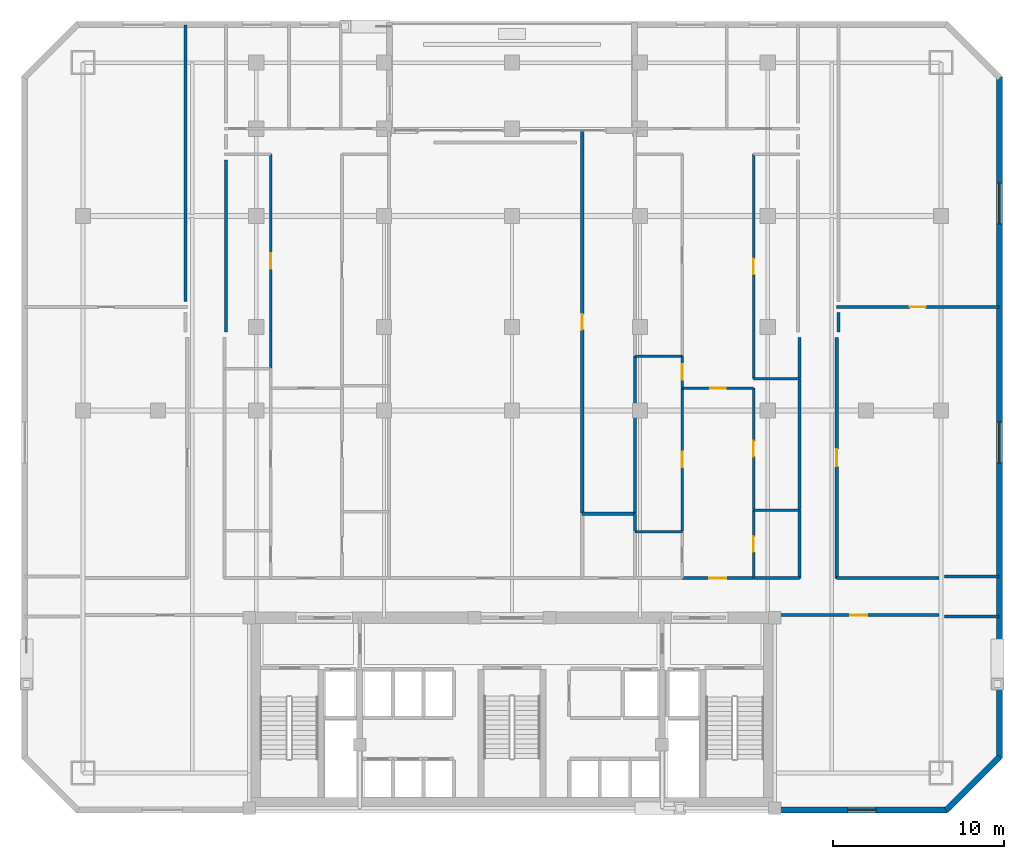
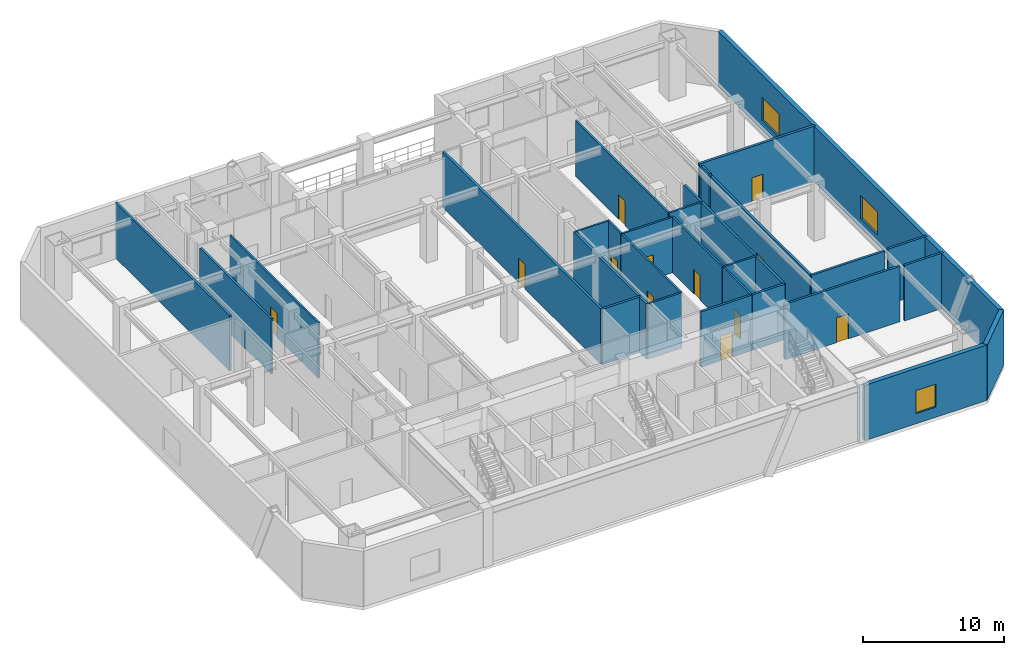
# One storey, part 9 of 12: 32 walls, 12 doors, 3 windows, 15 openings.
"""IFC4 building model written with IfcOpenShell, lengths in metres."""

import ifcopenshell
import ifcopenshell.guid

model = None  # the IFC model being written
_history = None  # IfcOwnerHistory: only IFC2X3 demands one
_inside = {}  # id of a spatial element -> (the spatial element, [elements in it])
_under = {}  # id of a project, library or spatial element -> (it, [spatial elements below it])
_declared = {}  # id of a project -> (the project, [libraries it declares])
_typed = {}  # id of a type object -> (the type object, [elements of that type])
_made_of = {}  # id of a material, layer set ... -> (it, [elements and type objects made of it])


def new_model(schema):
    """Start an empty IFC model of exactly this schema.

    Asked for "IFC4X3", IfcOpenShell would pick the latest addendum, in which some entities
    have other attributes; the version numbers below select the first issue.
    IFC2X3 requires an IfcOwnerHistory on every rooted entity: one is made here for all.
    """
    global model, _history
    if schema == "IFC4X3":
        model = ifcopenshell.file(schema_version=(4, 3, 0, 0))
    else:
        model = ifcopenshell.file(schema=schema)
    _inside.clear()
    _under.clear()
    _declared.clear()
    _typed.clear()
    _made_of.clear()
    _history = None
    if model.schema == "IFC2X3":
        org = make("IfcOrganization", Name="unknown")
        user = make(
            "IfcPersonAndOrganization",
            ThePerson=make("IfcPerson", FamilyName="unknown"),
            TheOrganization=org,
        )
        app = make(
            "IfcApplication",
            ApplicationDeveloper=org,
            Version="unknown",
            ApplicationFullName="unknown",
            ApplicationIdentifier="unknown",
        )
        _history = make(
            "IfcOwnerHistory",
            OwningUser=user,
            OwningApplication=app,
            ChangeAction="ADDED",
            CreationDate=0,
        )
    return model


def make(cls, **values):
    """One entity of the class cls with the attributes given. An attribute that is None is left unset."""
    return model.create_entity(
        cls, **{name: value for name, value in values.items() if value is not None}
    )


def rooted(cls, **values):
    """An entity with a GlobalId (a new one), such as an element, a storey or a relation."""
    return make(cls, GlobalId=ifcopenshell.guid.new(), OwnerHistory=_history, **values)


def si_unit(unit_type, name, prefix=None):
    """IfcSIUnit, for example si_unit("LENGTHUNIT", "METRE", prefix="MILLI")."""
    return make("IfcSIUnit", UnitType=unit_type, Prefix=prefix, Name=name)


def assignment(units):
    """IfcUnitAssignment: the units of a project."""
    return None if units is None else make("IfcUnitAssignment", Units=units)


def point(xyz):
    """IfcCartesianPoint."""
    return None if xyz is None else make("IfcCartesianPoint", Coordinates=xyz)


def direction(xyz):
    """IfcDirection."""
    return None if xyz is None else make("IfcDirection", DirectionRatios=xyz)


def frame(location, z_axis=None, x_axis=None):
    """IfcAxis2Placement3D, a coordinate frame: its origin and axes. An axis left out is left unset."""
    return make(
        "IfcAxis2Placement3D",
        Location=point(location),
        Axis=direction(z_axis),
        RefDirection=direction(x_axis),
    )


def frame_2d(location, x_axis=None):
    """IfcAxis2Placement2D, a coordinate frame in the plane: its origin and x axis."""
    return make(
        "IfcAxis2Placement2D", Location=point(location), RefDirection=direction(x_axis)
    )


def origin():
    """The frame at (0, 0, 0) with its axes left unset."""
    return frame((0.0, 0.0, 0.0))


def place(relative_to, where):
    """IfcLocalPlacement: puts the frame where relative to a parent placement (None: the world)."""
    return make(
        "IfcLocalPlacement", PlacementRelTo=relative_to, RelativePlacement=where
    )


def context(
    kind, dimensions, precision=None, world=None, true_north=None, identifier=None
):
    """IfcGeometricRepresentationContext, for example the 3D "Model" context."""
    return make(
        "IfcGeometricRepresentationContext",
        ContextIdentifier=identifier,
        ContextType=kind,
        CoordinateSpaceDimension=dimensions,
        Precision=precision,
        WorldCoordinateSystem=world,
        TrueNorth=true_north,
    )


def subcontext(parent, identifier, kind, view, scale=None):
    """IfcGeometricRepresentationSubContext, for example "Body" below "Model"."""
    return make(
        "IfcGeometricRepresentationSubContext",
        ContextIdentifier=identifier,
        ContextType=kind,
        ParentContext=parent,
        TargetScale=scale,
        TargetView=view,
    )


def project(units=None, contexts=None):
    """IfcProject with its units and contexts."""
    return rooted(
        "IfcProject",
        Name="project",
        RepresentationContexts=contexts,
        UnitsInContext=assignment(units),
    )


def spatial(cls, under=None, at=None, **own):
    """A site, building, storey or space (cls), placed at a placement, below another one or the project."""
    s = rooted(cls, ObjectPlacement=at, **own)
    if under is not None:
        _under.setdefault(under.id(), (under, []))[1].append(s)
    return s


def profile(cls, at=None, kind="AREA", **sizes):
    """A parametric profile (cls). Its sizes go by their IFC names, for example OverallWidth=200.0."""
    return make(cls, ProfileType=kind, Position=at, **sizes)


def rectangle(**sizes):
    """IfcRectangleProfileDef."""
    return profile("IfcRectangleProfileDef", **sizes)


def extrude(swept, where, along, depth):
    """IfcExtrudedAreaSolid: the profile swept, set in the frame where, extruded along a direction by depth."""
    return make(
        "IfcExtrudedAreaSolid",
        SweptArea=swept,
        Position=where,
        ExtrudedDirection=direction(along),
        Depth=depth,
    )


def shape(context_of_items, identifier, shape_type, items):
    """IfcShapeRepresentation: the items that make up one representation, for example the "Body"."""
    return make(
        "IfcShapeRepresentation",
        ContextOfItems=context_of_items,
        RepresentationIdentifier=identifier,
        RepresentationType=shape_type,
        Items=items,
    )


def material(Name=None, Category=None):
    """IfcMaterial."""
    return make("IfcMaterial", Name=Name, Category=Category)


def layer(
    of_material, thickness, ventilated=None, Name=None, Category=None, Priority=None
):
    """IfcMaterialLayer: one layer of a wall or slab, of a material (None: an air gap)."""
    return make(
        "IfcMaterialLayer",
        Material=of_material,
        LayerThickness=thickness,
        IsVentilated=ventilated,
        Name=Name,
        Category=Category,
        Priority=Priority,
    )


def layer_set(layers, Name=None):
    """IfcMaterialLayerSet."""
    return make("IfcMaterialLayerSet", MaterialLayers=layers, LayerSetName=Name)


def made_of(thing, what):
    """Note that an element or type object is made of a material, layer set ...; save() writes the relation."""
    if what is not None:
        _made_of.setdefault(what.id(), (what, []))[1].append(thing)
    return thing


def type_object(cls, material=None, **own):
    """A type object (cls), such as IfcWallType, which elements share."""
    return made_of(rooted(cls, **own), material)


def element(
    cls,
    number,
    at=None,
    inside=None,
    cuts=None,
    type_object=None,
    material=None,
    context=None,
    identifier="Body",
    shape_type=None,
    held_by="IfcProductDefinitionShape",
    body=None,
    shapes=None,
    **own,
):
    """One element of the class cls, such as IfcWall. Its Tag is "e" and its number.

    at: its placement. inside: the storey or other place that contains it. cuts: it is an
    opening in that element (IfcRelVoidsElement). A single representation is given by context,
    identifier, shape_type and body (its items); several are given by shapes. held_by: the class
    of the entity that holds the representations. save() writes the other relations.
    """
    e = rooted(cls, Tag="e%d" % number, ObjectPlacement=at, **own)
    if body is not None:
        shapes = [shape(context, identifier, shape_type, body)]
    if shapes is not None:
        e.Representation = make(held_by, Representations=shapes)
    if inside is not None:
        _inside.setdefault(inside.id(), (inside, []))[1].append(e)
    if cuts is not None:
        rooted(
            "IfcRelVoidsElement", RelatingBuildingElement=cuts, RelatedOpeningElement=e
        )
    if type_object is not None:
        _typed.setdefault(type_object.id(), (type_object, []))[1].append(e)
    return made_of(e, material)


def fill(opening, filler):
    """IfcRelFillsElement: the door or window that sits in an opening."""
    return rooted(
        "IfcRelFillsElement",
        RelatingOpeningElement=opening,
        RelatedBuildingElement=filler,
    )


def aggregate(whole, parts):
    """IfcRelAggregates: a whole, such as a stair, and the parts it consists of."""
    return rooted("IfcRelAggregates", RelatingObject=whole, RelatedObjects=parts)


def save(model, path):
    """Write the relations noted so far, then the file.

    IfcRelAggregates (storeys below a building ...), IfcRelContainedInSpatialStructure (elements
    in a storey), IfcRelDefinesByType, IfcRelAssociatesMaterial and IfcRelDeclares: one each for
    every whole, place, type object, material and project.
    """
    for whole, parts in _under.values():
        aggregate(whole, parts)
    for where, things in _inside.values():
        rooted(
            "IfcRelContainedInSpatialStructure",
            RelatedElements=things,
            RelatingStructure=where,
        )
    for kind, things in _typed.values():
        rooted("IfcRelDefinesByType", RelatedObjects=things, RelatingType=kind)
    for what, things in _made_of.values():
        rooted("IfcRelAssociatesMaterial", RelatedObjects=things, RelatingMaterial=what)
    for by, libraries in _declared.values():
        rooted("IfcRelDeclares", RelatingContext=by, RelatedDefinitions=libraries)
    model.write(path)


model = new_model("IFC4")

# Units and contexts
model_context = context("Model", 3, precision=1e-05, world=origin(), true_north=direction((0.0, 1.0)))
body_context = subcontext(model_context, "Body", "Model", "MODEL_VIEW")
ifc_project = project(units=[si_unit("LENGTHUNIT", "METRE"), si_unit("AREAUNIT", "SQUARE_METRE"), si_unit("VOLUMEUNIT", "CUBIC_METRE"), si_unit("PLANEANGLEUNIT", "RADIAN"), si_unit("MASSUNIT", "GRAM", prefix="KILO")], contexts=[model_context])

# Site, building, storey
site_placement = place(None, origin())
site = spatial("IfcSite", under=ifc_project, at=site_placement, CompositionType="ELEMENT")
building_placement = place(site_placement, origin())
building = spatial("IfcBuilding", under=site, at=building_placement, Name="Ventersveld Concourse Tower", CompositionType="ELEMENT")
storey_placement = place(building_placement, frame((0.0, 0.0, 76.0)))
storey = spatial("IfcBuildingStorey", under=building, at=storey_placement, Name="L18", CompositionType="ELEMENT", Elevation=76.0)

# Wall, opening, door
ifc_material_1 = material(Name="Fire-rated autoclaved aerated masonry blockwork", Category="masonry")
ifc_layer_1 = layer(ifc_material_1, 0.179931640625)
ifc_layer_set_1 = layer_set([ifc_layer_1], Name="Fire-rated autoclaved aerated masonry blockwork")
wall_type_1 = type_object("IfcWallType", Name="WL-CORR-180", PredefinedType="PARTITIONING", material=ifc_layer_set_1)
wall_1_placement = place(storey_placement, frame((44.35498046875, 11.60009765625, 0.0), z_axis=(0.0, 0.0, 1.0), x_axis=(1.0, 0.0, 0.0)))
wall_1 = element("IfcWall", 1, at=wall_1_placement, inside=storey, type_object=wall_type_1, Name="L18 Interior Partition SP-L18-SE-OFF-SP-L18-COR", PredefinedType="PARTITIONING", context=body_context, shape_type="SweptSolid", body=[
    extrude(rectangle(XDim=9.43994140625, YDim=0.179931640625, at=frame_2d((4.719970703125, 0.0))), origin(), (0.0, 0.0, 1.0), 4.800048828125),
])
opening_1_placement = place(wall_1_placement, frame((4.219970703125, 0.0, 0.0)))
opening_1 = element("IfcOpeningElement", 2, at=opening_1_placement, cuts=wall_1, Name="Opening FD3", PredefinedType="OPENING", context=body_context, shape_type="SweptSolid", body=[
    extrude(rectangle(XDim=1.0, YDim=2.14990234375, at=frame_2d((0.5, 1.074951171875))), frame((0.0, 0.10009765625, 0.0), z_axis=(0.0, -1.0, 0.0), x_axis=(1.0, 0.0, 0.0)), (0.0, 0.0, 1.0), 0.199951171875),
])
ifc_material_2 = material(Name="Solid-core hardwood veneer timber", Category="wood")
door_type_1 = type_object("IfcDoorType", Name="DR-FLAT-100", OperationType="NOTDEFINED", PredefinedType="DOOR", material=ifc_material_2)
door_1_placement = place(opening_1_placement, origin())
door_1 = element("IfcDoor", 3, at=door_1_placement, inside=storey, type_object=door_type_1, Name="L18 Interior Door SP-L18-SE-OFF to SP-L18-COR (D-L18-0844)", OperationType="SINGLE_SWING_RIGHT", OverallHeight=2.14990234375, OverallWidth=1.0, PredefinedType="DOOR", context=body_context, shape_type="SweptSolid", body=[
    extrude(rectangle(XDim=1.0, YDim=2.14990234375, at=frame_2d((0.5, 1.074951171875))), frame((0.0, 0.02490234375, 0.0), z_axis=(0.0, -1.0, 0.0), x_axis=(1.0, 0.0, 0.0)), (0.0, 0.0, 1.0), 0.050048828125),
])
fill(opening_1, door_1)

wall_2_placement = place(storey_placement, frame((47.7900390625, 13.764892578125, 0.0), z_axis=(0.0, 0.0, 1.0), x_axis=(0.0, 1.0, 0.0)))
wall_2 = element("IfcWall", 4, at=wall_2_placement, inside=storey, type_object=wall_type_1, Name="L18 Interior Partition SP-L18-COR-SP-L18-NELNG1", PredefinedType="PARTITIONING", context=body_context, shape_type="SweptSolid", body=[
    extrude(rectangle(XDim=14.130126953125, YDim=0.179931640625, at=frame_2d((7.06494140625, 0.0))), origin(), (0.0, 0.0, 1.0), 4.800048828125),
])
opening_2_placement = place(wall_2_placement, frame((6.56494140625, 0.0, 0.0)))
opening_2 = element("IfcOpeningElement", 5, at=opening_2_placement, cuts=wall_2, Name="Opening FD3", PredefinedType="OPENING", context=body_context, shape_type="SweptSolid", body=[
    extrude(rectangle(XDim=1.0, YDim=2.14990234375, at=frame_2d((0.5, 1.074951171875))), frame((0.0, 0.10009765625, 0.0), z_axis=(0.0, -1.0, 0.0), x_axis=(1.0, 0.0, 0.0)), (0.0, 0.0, 1.0), 0.199951171875),
])
door_2_placement = place(opening_2_placement, origin())
door_2 = element("IfcDoor", 6, at=door_2_placement, inside=storey, type_object=door_type_1, Name="L18 Interior Door SP-L18-COR to SP-L18-NELNG1 (D-L18-0846)", OperationType="SINGLE_SWING_RIGHT", OverallHeight=2.14990234375, OverallWidth=1.0, PredefinedType="DOOR", context=body_context, shape_type="SweptSolid", body=[
    extrude(rectangle(XDim=1.0, YDim=2.14990234375, at=frame_2d((0.5, 1.074951171875))), frame((0.0, 0.02490234375, 0.0), z_axis=(0.0, -1.0, 0.0), x_axis=(1.0, 0.0, 0.0)), (0.0, 0.0, 1.0), 0.050048828125),
])
fill(opening_2, door_2)

# Wall
wall_3_placement = place(storey_placement, frame((47.784912109375, 13.77001953125, 0.0), z_axis=(0.0, 0.0, 1.0), x_axis=(1.0, 0.0, 0.0)))
element("IfcWall", 7, at=wall_3_placement, inside=storey, type_object=wall_type_1, Name="L18 Interior Partition SP-L18-COR-SP-L18-NELNG1", PredefinedType="PARTITIONING", context=body_context, shape_type="SweptSolid", body=[
    extrude(rectangle(XDim=6.010009765625, YDim=0.179931640625, at=frame_2d((3.0048828125, 0.0))), origin(), (0.0, 0.0, 1.0), 4.800048828125),
])

# Wall, opening, door
wall_4_placement = place(storey_placement, frame((38.731201171875, 13.77001953125, 0.0), z_axis=(0.0, 0.0, 1.0), x_axis=(1.0, 0.0, 0.0)))
wall_4 = element("IfcWall", 8, at=wall_4_placement, inside=storey, type_object=wall_type_1, Name="L18 Interior Partition SP-L18-COR-SP-L18-18CE-FOY", PredefinedType="PARTITIONING", context=body_context, shape_type="SweptSolid", body=[
    extrude(rectangle(XDim=4.186279296875, YDim=0.179931640625, at=frame_2d((2.09326171875, 0.0))), origin(), (0.0, 0.0, 1.0), 4.800048828125),
])
opening_3_placement = place(wall_4_placement, frame((1.593017578125, 0.0, 0.0)))
opening_3 = element("IfcOpeningElement", 9, at=opening_3_placement, cuts=wall_4, Name="Opening FD3", PredefinedType="OPENING", context=body_context, shape_type="SweptSolid", body=[
    extrude(rectangle(XDim=1.0, YDim=2.14990234375, at=frame_2d((0.5, 1.074951171875))), frame((0.0, 0.10009765625, 0.0), z_axis=(0.0, -1.0, 0.0), x_axis=(1.0, 0.0, 0.0)), (0.0, 0.0, 1.0), 0.199951171875),
])
door_3_placement = place(opening_3_placement, origin())
door_3 = element("IfcDoor", 10, at=door_3_placement, inside=storey, type_object=door_type_1, Name="L18 Interior Door SP-L18-COR to SP-L18-18CE-FOY (FD-L18-0850)", OperationType="SINGLE_SWING_RIGHT", OverallHeight=2.14990234375, OverallWidth=1.0, PredefinedType="DOOR", context=body_context, shape_type="SweptSolid", body=[
    extrude(rectangle(XDim=1.0, YDim=2.14990234375, at=frame_2d((0.5, 1.074951171875))), frame((0.0, 0.02490234375, 0.0), z_axis=(0.0, -1.0, 0.0), x_axis=(1.0, 0.0, 0.0)), (0.0, 0.0, 1.0), 0.050048828125),
])
fill(opening_3, door_3)

# Walls
wall_5_placement = place(storey_placement, frame((45.610107421875, 13.764892578125, 0.0), z_axis=(0.0, 0.0, 1.0), x_axis=(0.0, 1.0, 0.0)))
element("IfcWall", 11, at=wall_5_placement, inside=storey, type_object=wall_type_1, Name="L18 Interior Partition SP-L18-COR-SP-L18-18CE-KIT", PredefinedType="PARTITIONING", context=body_context, shape_type="SweptSolid", body=[
    extrude(rectangle(XDim=4.00341796875, YDim=0.179931640625, at=frame_2d((2.001708984375, 0.0))), origin(), (0.0, 0.0, 1.0), 4.800048828125),
])
wall_6_placement = place(storey_placement, frame((42.947509765625, 13.77001953125, 0.0), z_axis=(0.0, 0.0, 1.0), x_axis=(1.0, 0.0, 0.0)))
element("IfcWall", 12, at=wall_6_placement, inside=storey, type_object=wall_type_1, Name="L18 Interior Partition SP-L18-COR-SP-L18-18CE-KIT", PredefinedType="PARTITIONING", context=body_context, shape_type="SweptSolid", body=[
    extrude(rectangle(XDim=2.66748046875, YDim=0.179931640625, at=frame_2d((1.333740234375, 0.0))), origin(), (0.0, 0.0, 1.0), 4.800048828125),
])
wall_7_placement = place(storey_placement, frame((45.610107421875, 17.79833984375, 0.0), z_axis=(0.0, 0.0, 1.0), x_axis=(0.0, 1.0, 0.0)))
element("IfcWall", 13, at=wall_7_placement, inside=storey, type_object=wall_type_1, Name="L18 Interior Partition SP-L18-COR-SP-L18-18CE-MEDR1", PredefinedType="PARTITIONING", context=body_context, shape_type="SweptSolid", body=[
    extrude(rectangle(XDim=7.68115234375, YDim=0.179931640625, at=frame_2d((3.840576171875, 0.0))), origin(), (0.0, 0.0, 1.0), 4.800048828125),
])
wall_8_placement = place(storey_placement, frame((45.610107421875, 25.509521484375, 0.0), z_axis=(0.0, 0.0, 1.0), x_axis=(0.0, 1.0, 0.0)))
element("IfcWall", 14, at=wall_8_placement, inside=storey, type_object=wall_type_1, Name="L18 Interior Partition SP-L18-COR-SP-L18-18CE-DENS", PredefinedType="PARTITIONING", context=body_context, shape_type="SweptSolid", body=[
    extrude(rectangle(XDim=2.385498046875, YDim=0.179931640625, at=frame_2d((1.19287109375, 0.0))), origin(), (0.0, 0.0, 1.0), 4.800048828125),
])
wall_9_placement = place(storey_placement, frame((54.1123046875, 11.52001953125, 0.0), z_axis=(0.0, 0.0, 1.0), x_axis=(1.0, 0.0, 0.0)))
element("IfcWall", 15, at=wall_9_placement, inside=storey, type_object=wall_type_1, Name="L18 Room Enclosure Wall SP-L18-SE-OFF", PredefinedType="PARTITIONING", context=body_context, shape_type="SweptSolid", body=[
    extrude(rectangle(XDim=3.177734375, YDim=0.179931640625, at=frame_2d((1.5888671875, 0.0))), origin(), (0.0, 0.0, 1.0), 4.800048828125),
])
wall_10_placement = place(storey_placement, frame((9.6201171875, 46.18994140625, 0.0), z_axis=(0.0, 0.0, 1.0), x_axis=(0.0, -1.0, 0.0)))
element("IfcWall", 16, at=wall_10_placement, inside=storey, type_object=wall_type_1, Name="L18 Room Enclosure Wall SP-L18-NWLNG2", PredefinedType="PARTITIONING", context=body_context, shape_type="SweptSolid", body=[
    extrude(rectangle(XDim=16.19482421875, YDim=0.179931640625, at=frame_2d((8.097412109375, 0.0))), origin(), (0.0, 0.0, 1.0), 4.800048828125),
])
wall_11_placement = place(storey_placement, frame((47.8798828125, 28.2099609375, 0.0), z_axis=(0.0, 0.0, 1.0), x_axis=(0.0, 1.0, 0.0)))
element("IfcWall", 17, at=wall_11_placement, inside=storey, type_object=wall_type_1, Name="L18 Room Enclosure Wall SP-L18-NELNG1", PredefinedType="PARTITIONING", context=body_context, shape_type="SweptSolid", body=[
    extrude(rectangle(XDim=1.135009765625, YDim=0.179931640625, at=frame_2d((0.5673828125, 0.0))), origin(), (0.0, 0.0, 1.0), 4.800048828125),
])
wall_12_placement = place(storey_placement, frame((57.2900390625, 13.860107421875, 0.0), z_axis=(0.0, 0.0, 1.0), x_axis=(-1.0, 0.0, 0.0)))
element("IfcWall", 18, at=wall_12_placement, inside=storey, type_object=wall_type_1, Name="L18 Room Enclosure Wall SP-L18-NELNG1", PredefinedType="PARTITIONING", context=body_context, shape_type="SweptSolid", body=[
    extrude(rectangle(XDim=3.18017578125, YDim=0.179931640625, at=frame_2d((1.590087890625, 0.0))), origin(), (0.0, 0.0, 1.0), 4.800048828125),
])
wall_13_placement = place(storey_placement, frame((11.97998046875, 28.2099609375, 0.0), z_axis=(0.0, 0.0, 1.0), x_axis=(0.0, 1.0, 0.0)))
element("IfcWall", 19, at=wall_13_placement, inside=storey, type_object=wall_type_1, Name="L18 Room Enclosure Wall SP-L18-18CW-SEML2", PredefinedType="PARTITIONING", context=body_context, shape_type="SweptSolid", body=[
    extrude(rectangle(XDim=10.0849609375, YDim=0.179931640625, at=frame_2d((5.04248046875, 0.0))), origin(), (0.0, 0.0, 1.0), 4.800048828125),
])

# Wall, opening, door
ifc_layer_2 = layer(ifc_material_1, 0.199951171875)
ifc_layer_set_2 = layer_set([ifc_layer_2], Name="Fire-rated autoclaved aerated masonry blockwork")
wall_type_2 = type_object("IfcWallType", Name="WL-DEMISE-200", PredefinedType="PARTITIONING", material=ifc_layer_set_2)
wall_14_placement = place(storey_placement, frame((47.784912109375, 29.669921875, 0.0), z_axis=(0.0, 0.0, 1.0), x_axis=(1.0, 0.0, 0.0)))
wall_14 = element("IfcWall", 20, at=wall_14_placement, inside=storey, type_object=wall_type_2, Name="L18 Interior Partition SP-L18-NELNG1-SP-L18-NELNG2", PredefinedType="PARTITIONING", context=body_context, shape_type="SweptSolid", body=[
    extrude(rectangle(XDim=9.505126953125, YDim=0.199951171875, at=frame_2d((4.75244140625, 0.0))), origin(), (0.0, 0.0, 1.0), 4.800048828125),
])
opening_4_placement = place(wall_14_placement, frame((4.29248046875, 0.0, 0.0)))
opening_4 = element("IfcOpeningElement", 21, at=opening_4_placement, cuts=wall_14, Name="Opening ID1", PredefinedType="OPENING", context=body_context, shape_type="SweptSolid", body=[
    extrude(rectangle(XDim=0.919921875, YDim=2.10009765625, at=frame_2d((0.4599609375, 1.050048828125))), frame((0.0, 0.10986328125, 0.0), z_axis=(0.0, -1.0, 0.0), x_axis=(1.0, 0.0, 0.0)), (0.0, 0.0, 1.0), 0.219970703125),
])
door_type_2 = type_object("IfcDoorType", Name="DR-ROOM-092", OperationType="NOTDEFINED", PredefinedType="DOOR", material=ifc_material_2)
door_4_placement = place(opening_4_placement, origin())
door_4 = element("IfcDoor", 22, at=door_4_placement, inside=storey, type_object=door_type_2, Name="L18 Interior Door SP-L18-NELNG1 to SP-L18-NELNG2 (D-L18-0852)", OperationType="SINGLE_SWING_RIGHT", OverallHeight=2.10009765625, OverallWidth=0.919921875, PredefinedType="DOOR", context=body_context, shape_type="SweptSolid", body=[
    extrude(rectangle(XDim=0.919921875, YDim=2.10009765625, at=frame_2d((0.4599609375, 1.050048828125))), frame((0.0, 0.02490234375, 0.0), z_axis=(0.0, -1.0, 0.0), x_axis=(1.0, 0.0, 0.0)), (0.0, 0.0, 1.0), 0.050048828125),
])
fill(opening_4, door_4)

wall_15_placement = place(storey_placement, frame((32.860107421875, 17.5849609375, 0.0), z_axis=(0.0, 0.0, 1.0), x_axis=(0.0, 1.0, 0.0)))
wall_15 = element("IfcWall", 23, at=wall_15_placement, inside=storey, type_object=wall_type_2, Name="L18 Interior Partition SP-L18-SGLNG-SP-L18-SGSTD", PredefinedType="PARTITIONING", context=body_context, shape_type="SweptSolid", body=[
    extrude(rectangle(XDim=22.422119140625, YDim=0.199951171875, at=frame_2d((11.2109375, 0.0))), origin(), (0.0, 0.0, 1.0), 4.800048828125),
])
opening_5_placement = place(wall_15_placement, frame((10.7509765625, 0.0, 0.0)))
opening_5 = element("IfcOpeningElement", 24, at=opening_5_placement, cuts=wall_15, Name="Opening ID1", PredefinedType="OPENING", context=body_context, shape_type="SweptSolid", body=[
    extrude(rectangle(XDim=0.919921875, YDim=2.10009765625, at=frame_2d((0.4599609375, 1.050048828125))), frame((0.0, 0.10986328125, 0.0), z_axis=(0.0, -1.0, 0.0), x_axis=(1.0, 0.0, 0.0)), (0.0, 0.0, 1.0), 0.219970703125),
])
door_5_placement = place(opening_5_placement, origin())
door_5 = element("IfcDoor", 25, at=door_5_placement, inside=storey, type_object=door_type_2, Name="L18 Interior Door SP-L18-SGLNG to SP-L18-SGSTD (D-L18-0853)", OperationType="SINGLE_SWING_LEFT", OverallHeight=2.10009765625, OverallWidth=0.919921875, PredefinedType="DOOR", context=body_context, shape_type="SweptSolid", body=[
    extrude(rectangle(XDim=0.919921875, YDim=2.10009765625, at=frame_2d((0.4599609375, 1.050048828125))), frame((0.0, 0.02490234375, 0.0), z_axis=(0.0, -1.0, 0.0), x_axis=(1.0, 0.0, 0.0)), (0.0, 0.0, 1.0), 0.050048828125),
])
fill(opening_5, door_5)

# Walls
wall_16_placement = place(storey_placement, frame((32.85498046875, 17.550048828125, 0.0), z_axis=(0.0, 0.0, 1.0), x_axis=(1.0, 0.0, 0.0)))
element("IfcWall", 26, at=wall_16_placement, inside=storey, type_object=wall_type_2, Name="L18 Interior Partition SP-L18-SGAWC-SP-L18-SGSTD", PredefinedType="PARTITIONING", context=body_context, shape_type="SweptSolid", body=[
    extrude(rectangle(XDim=3.110107421875, YDim=0.199951171875, at=frame_2d((1.55517578125, 0.0))), origin(), (0.0, 0.0, 1.0), 4.800048828125),
])
wall_17_placement = place(storey_placement, frame((35.9599609375, 16.527099609375, 0.0), z_axis=(0.0, 0.0, 1.0), x_axis=(0.0, 1.0, 0.0)))
element("IfcWall", 27, at=wall_17_placement, inside=storey, type_object=wall_type_2, Name="L18 Interior Partition SP-L18-SGAWC-SP-L18-18CE-OFFL0", PredefinedType="PARTITIONING", context=body_context, shape_type="SweptSolid", body=[
    extrude(rectangle(XDim=1.02783203125, YDim=0.199951171875, at=frame_2d((0.513916015625, 0.0))), origin(), (0.0, 0.0, 1.0), 4.800048828125),
])
wall_18_placement = place(storey_placement, frame((35.9599609375, 17.5849609375, 0.0), z_axis=(0.0, 0.0, 1.0), x_axis=(0.0, 1.0, 0.0)))
element("IfcWall", 28, at=wall_18_placement, inside=storey, type_object=wall_type_2, Name="L18 Interior Partition SP-L18-SGSTD-SP-L18-18CE-OFFL0", PredefinedType="PARTITIONING", context=body_context, shape_type="SweptSolid", body=[
    extrude(rectangle(XDim=9.198486328125, YDim=0.199951171875, at=frame_2d((4.59912109375, 0.0))), origin(), (0.0, 0.0, 1.0), 4.800048828125),
])

# Wall, opening, door
ifc_material_3 = material(Name="Autoclaved aerated masonry blockwork", Category="masonry")
ifc_layer_3 = layer(ifc_material_3, 0.14990234375)
ifc_layer_set_3 = layer_set([ifc_layer_3], Name="Autoclaved aerated masonry blockwork")
wall_type_3 = type_object("IfcWallType", Name="WL-INT-150", PredefinedType="PARTITIONING", material=ifc_layer_set_3)
wall_19_placement = place(storey_placement, frame((14.607177734375, 26.089599609375, 0.0), z_axis=(0.0, 0.0, 1.0), x_axis=(0.0, 1.0, 0.0)))
wall_19 = element("IfcWall", 29, at=wall_19_placement, inside=storey, type_object=wall_type_3, Name="L18 Interior Partition SP-L18-18CW-LIV-SP-L18-18CW-SEML2", PredefinedType="PARTITIONING", context=body_context, shape_type="SweptSolid", body=[
    extrude(rectangle(XDim=12.535400390625, YDim=0.14990234375, at=frame_2d((6.267578125, 0.0))), origin(), (0.0, 0.0, 1.0), 4.800048828125),
])
opening_6_placement = place(wall_19_placement, frame((5.8076171875, 0.0, 0.0)))
opening_6 = element("IfcOpeningElement", 30, at=opening_6_placement, cuts=wall_19, Name="Opening ID1", PredefinedType="OPENING", context=body_context, shape_type="SweptSolid", body=[
    extrude(rectangle(XDim=0.919921875, YDim=2.10009765625, at=frame_2d((0.4599609375, 1.050048828125))), frame((0.0, 0.0849609375, 0.0), z_axis=(0.0, -1.0, 0.0), x_axis=(1.0, 0.0, 0.0)), (0.0, 0.0, 1.0), 0.169921875),
])
door_6_placement = place(opening_6_placement, origin())
door_6 = element("IfcDoor", 31, at=door_6_placement, inside=storey, type_object=door_type_2, Name="L18 Interior Door SP-L18-18CW-LIV to SP-L18-18CW-SEML2 (D-L18-0859)", OperationType="SINGLE_SWING_LEFT", OverallHeight=2.10009765625, OverallWidth=0.919921875, PredefinedType="DOOR", context=body_context, shape_type="SweptSolid", body=[
    extrude(rectangle(XDim=0.919921875, YDim=2.10009765625, at=frame_2d((0.4599609375, 1.050048828125))), frame((0.0, 0.02490234375, 0.0), z_axis=(0.0, -1.0, 0.0), x_axis=(1.0, 0.0, 0.0)), (0.0, 0.0, 1.0), 0.050048828125),
])
fill(opening_6, door_6)

wall_20_placement = place(storey_placement, frame((38.731201171875, 24.911865234375, 0.0), z_axis=(0.0, 0.0, 1.0), x_axis=(1.0, 0.0, 0.0)))
wall_20 = element("IfcWall", 32, at=wall_20_placement, inside=storey, type_object=wall_type_3, Name="L18 Interior Partition SP-L18-18CE-FOY-SP-L18-18CE-LIV", PredefinedType="PARTITIONING", context=body_context, shape_type="SweptSolid", body=[
    extrude(rectangle(XDim=4.186279296875, YDim=0.14990234375, at=frame_2d((2.09326171875, 0.0))), origin(), (0.0, 0.0, 1.0), 4.800048828125),
])
opening_7_placement = place(wall_20_placement, frame((1.633056640625, 0.0, 0.0)))
opening_7 = element("IfcOpeningElement", 33, at=opening_7_placement, cuts=wall_20, Name="Opening ID1", PredefinedType="OPENING", context=body_context, shape_type="SweptSolid", body=[
    extrude(rectangle(XDim=0.919921875, YDim=2.10009765625, at=frame_2d((0.4599609375, 1.050048828125))), frame((0.0, 0.0849609375, 0.0), z_axis=(0.0, -1.0, 0.0), x_axis=(1.0, 0.0, 0.0)), (0.0, 0.0, 1.0), 0.169921875),
])
door_7_placement = place(opening_7_placement, origin())
door_7 = element("IfcDoor", 34, at=door_7_placement, inside=storey, type_object=door_type_2, Name="L18 Interior Door SP-L18-18CE-FOY to SP-L18-18CE-LIV (D-L18-0864)", OperationType="SINGLE_SWING_RIGHT", OverallHeight=2.10009765625, OverallWidth=0.919921875, PredefinedType="DOOR", context=body_context, shape_type="SweptSolid", body=[
    extrude(rectangle(XDim=0.919921875, YDim=2.10009765625, at=frame_2d((0.4599609375, 1.050048828125))), frame((0.0, 0.02490234375, 0.0), z_axis=(0.0, -1.0, 0.0), x_axis=(1.0, 0.0, 0.0)), (0.0, 0.0, 1.0), 0.050048828125),
])
fill(opening_7, door_7)

wall_21_placement = place(storey_placement, frame((38.736328125, 16.527099609375, 0.0), z_axis=(0.0, 0.0, 1.0), x_axis=(0.0, 1.0, 0.0)))
wall_21 = element("IfcWall", 35, at=wall_21_placement, inside=storey, type_object=wall_type_3, Name="L18 Interior Partition SP-L18-18CE-FOY-SP-L18-18CE-OFFL0", PredefinedType="PARTITIONING", context=body_context, shape_type="SweptSolid", body=[
    extrude(rectangle(XDim=8.389892578125, YDim=0.14990234375, at=frame_2d((4.19482421875, 0.0))), origin(), (0.0, 0.0, 1.0), 4.800048828125),
])
opening_8_placement = place(wall_21_placement, frame((3.73486328125, 0.0, 0.0)))
opening_8 = element("IfcOpeningElement", 36, at=opening_8_placement, cuts=wall_21, Name="Opening ID1", PredefinedType="OPENING", context=body_context, shape_type="SweptSolid", body=[
    extrude(rectangle(XDim=0.919921875, YDim=2.10009765625, at=frame_2d((0.4599609375, 1.050048828125))), frame((0.0, 0.0849609375, 0.0), z_axis=(0.0, -1.0, 0.0), x_axis=(1.0, 0.0, 0.0)), (0.0, 0.0, 1.0), 0.169921875),
])
door_8_placement = place(opening_8_placement, origin())
door_8 = element("IfcDoor", 37, at=door_8_placement, inside=storey, type_object=door_type_2, Name="L18 Interior Door SP-L18-18CE-FOY to SP-L18-18CE-OFFL0 (D-L18-0866)", OperationType="SINGLE_SWING_RIGHT", OverallHeight=2.10009765625, OverallWidth=0.919921875, PredefinedType="DOOR", context=body_context, shape_type="SweptSolid", body=[
    extrude(rectangle(XDim=0.919921875, YDim=2.10009765625, at=frame_2d((0.4599609375, 1.050048828125))), frame((0.0, 0.02490234375, 0.0), z_axis=(0.0, -1.0, 0.0), x_axis=(1.0, 0.0, 0.0)), (0.0, 0.0, 1.0), 0.050048828125),
])
fill(opening_8, door_8)

wall_22_placement = place(storey_placement, frame((42.91259765625, 13.764892578125, 0.0), z_axis=(0.0, 0.0, 1.0), x_axis=(0.0, 1.0, 0.0)))
wall_22 = element("IfcWall", 38, at=wall_22_placement, inside=storey, type_object=wall_type_3, Name="L18 Interior Partition SP-L18-18CE-FOY-SP-L18-18CE-KIT", PredefinedType="PARTITIONING", context=body_context, shape_type="SweptSolid", body=[
    extrude(rectangle(XDim=4.00341796875, YDim=0.14990234375, at=frame_2d((2.001708984375, 0.0))), origin(), (0.0, 0.0, 1.0), 4.800048828125),
])
opening_9_placement = place(wall_22_placement, frame((1.54150390625, 0.0, 0.0)))
opening_9 = element("IfcOpeningElement", 39, at=opening_9_placement, cuts=wall_22, Name="Opening ID1", PredefinedType="OPENING", context=body_context, shape_type="SweptSolid", body=[
    extrude(rectangle(XDim=0.919921875, YDim=2.10009765625, at=frame_2d((0.4599609375, 1.050048828125))), frame((0.0, 0.0849609375, 0.0), z_axis=(0.0, -1.0, 0.0), x_axis=(1.0, 0.0, 0.0)), (0.0, 0.0, 1.0), 0.169921875),
])
door_9_placement = place(opening_9_placement, origin())
door_9 = element("IfcDoor", 40, at=door_9_placement, inside=storey, type_object=door_type_2, Name="L18 Interior Door SP-L18-18CE-FOY to SP-L18-18CE-KIT (D-L18-0867)", OperationType="SINGLE_SWING_LEFT", OverallHeight=2.10009765625, OverallWidth=0.919921875, PredefinedType="DOOR", context=body_context, shape_type="SweptSolid", body=[
    extrude(rectangle(XDim=0.919921875, YDim=2.10009765625, at=frame_2d((0.4599609375, 1.050048828125))), frame((0.0, 0.02490234375, 0.0), z_axis=(0.0, -1.0, 0.0), x_axis=(1.0, 0.0, 0.0)), (0.0, 0.0, 1.0), 0.050048828125),
])
fill(opening_9, door_9)

wall_23_placement = place(storey_placement, frame((42.91259765625, 17.79833984375, 0.0), z_axis=(0.0, 0.0, 1.0), x_axis=(0.0, 1.0, 0.0)))
wall_23 = element("IfcWall", 41, at=wall_23_placement, inside=storey, type_object=wall_type_3, Name="L18 Interior Partition SP-L18-18CE-FOY-SP-L18-18CE-MEDR1", PredefinedType="PARTITIONING", context=body_context, shape_type="SweptSolid", body=[
    extrude(rectangle(XDim=7.11865234375, YDim=0.14990234375, at=frame_2d((3.559326171875, 0.0))), origin(), (0.0, 0.0, 1.0), 4.800048828125),
])
opening_10_placement = place(wall_23_placement, frame((3.099365234375, 0.0, 0.0)))
opening_10 = element("IfcOpeningElement", 42, at=opening_10_placement, cuts=wall_23, Name="Opening ID1", PredefinedType="OPENING", context=body_context, shape_type="SweptSolid", body=[
    extrude(rectangle(XDim=0.919921875, YDim=2.10009765625, at=frame_2d((0.4599609375, 1.050048828125))), frame((0.0, 0.0849609375, 0.0), z_axis=(0.0, -1.0, 0.0), x_axis=(1.0, 0.0, 0.0)), (0.0, 0.0, 1.0), 0.169921875),
])
door_10_placement = place(opening_10_placement, origin())
door_10 = element("IfcDoor", 43, at=door_10_placement, inside=storey, type_object=door_type_2, Name="L18 Interior Door SP-L18-18CE-FOY to SP-L18-18CE-MEDR1 (D-L18-0868)", OperationType="SINGLE_SWING_RIGHT", OverallHeight=2.10009765625, OverallWidth=0.919921875, PredefinedType="DOOR", context=body_context, shape_type="SweptSolid", body=[
    extrude(rectangle(XDim=0.919921875, YDim=2.10009765625, at=frame_2d((0.4599609375, 1.050048828125))), frame((0.0, 0.02490234375, 0.0), z_axis=(0.0, -1.0, 0.0), x_axis=(1.0, 0.0, 0.0)), (0.0, 0.0, 1.0), 0.050048828125),
])
fill(opening_10, door_10)

wall_24_placement = place(storey_placement, frame((38.736328125, 24.947021484375, 0.0), z_axis=(0.0, 0.0, 1.0), x_axis=(0.0, 1.0, 0.0)))
wall_24 = element("IfcWall", 44, at=wall_24_placement, inside=storey, type_object=wall_type_3, Name="L18 Interior Partition SP-L18-18CE-LIV-SP-L18-18CE-OFFL0", PredefinedType="PARTITIONING", context=body_context, shape_type="SweptSolid", body=[
    extrude(rectangle(XDim=1.83642578125, YDim=0.14990234375, at=frame_2d((0.918212890625, 0.0))), origin(), (0.0, 0.0, 1.0), 4.800048828125),
])
opening_11_placement = place(wall_24_placement, frame((0.458251953125, 0.0, 0.0)))
opening_11 = element("IfcOpeningElement", 45, at=opening_11_placement, cuts=wall_24, Name="Opening ID1", PredefinedType="OPENING", context=body_context, shape_type="SweptSolid", body=[
    extrude(rectangle(XDim=0.919921875, YDim=2.10009765625, at=frame_2d((0.4599609375, 1.050048828125))), frame((0.0, 0.0849609375, 0.0), z_axis=(0.0, -1.0, 0.0), x_axis=(1.0, 0.0, 0.0)), (0.0, 0.0, 1.0), 0.169921875),
])
door_11_placement = place(opening_11_placement, origin())
door_11 = element("IfcDoor", 46, at=door_11_placement, inside=storey, type_object=door_type_2, Name="L18 Interior Door SP-L18-18CE-LIV to SP-L18-18CE-OFFL0 (D-L18-0869)", OperationType="SINGLE_SWING_LEFT", OverallHeight=2.10009765625, OverallWidth=0.919921875, PredefinedType="DOOR", context=body_context, shape_type="SweptSolid", body=[
    extrude(rectangle(XDim=0.919921875, YDim=2.10009765625, at=frame_2d((0.4599609375, 1.050048828125))), frame((0.0, 0.02490234375, 0.0), z_axis=(0.0, -1.0, 0.0), x_axis=(1.0, 0.0, 0.0)), (0.0, 0.0, 1.0), 0.050048828125),
])
fill(opening_11, door_11)

wall_25_placement = place(storey_placement, frame((42.91259765625, 25.469482421875, 0.0), z_axis=(0.0, 0.0, 1.0), x_axis=(0.0, 1.0, 0.0)))
wall_25 = element("IfcWall", 47, at=wall_25_placement, inside=storey, type_object=wall_type_3, Name="L18 Interior Partition SP-L18-18CE-LIV-SP-L18-18CE-DENS", PredefinedType="PARTITIONING", context=body_context, shape_type="SweptSolid", body=[
    extrude(rectangle(XDim=13.155517578125, YDim=0.14990234375, at=frame_2d((6.57763671875, 0.0))), origin(), (0.0, 0.0, 1.0), 4.800048828125),
])
opening_12_placement = place(wall_25_placement, frame((6.117919921875, 0.0, 0.0)))
opening_12 = element("IfcOpeningElement", 48, at=opening_12_placement, cuts=wall_25, Name="Opening ID1", PredefinedType="OPENING", context=body_context, shape_type="SweptSolid", body=[
    extrude(rectangle(XDim=0.919921875, YDim=2.10009765625, at=frame_2d((0.4599609375, 1.050048828125))), frame((0.0, 0.0849609375, 0.0), z_axis=(0.0, -1.0, 0.0), x_axis=(1.0, 0.0, 0.0)), (0.0, 0.0, 1.0), 0.169921875),
])
door_12_placement = place(opening_12_placement, origin())
door_12 = element("IfcDoor", 49, at=door_12_placement, inside=storey, type_object=door_type_2, Name="L18 Interior Door SP-L18-18CE-LIV to SP-L18-18CE-DENS (D-L18-0871)", OperationType="SINGLE_SWING_LEFT", OverallHeight=2.10009765625, OverallWidth=0.919921875, PredefinedType="DOOR", context=body_context, shape_type="SweptSolid", body=[
    extrude(rectangle(XDim=0.919921875, YDim=2.10009765625, at=frame_2d((0.4599609375, 1.050048828125))), frame((0.0, 0.02490234375, 0.0), z_axis=(0.0, -1.0, 0.0), x_axis=(1.0, 0.0, 0.0)), (0.0, 0.0, 1.0), 0.050048828125),
])
fill(opening_12, door_12)

# Walls
wall_26_placement = place(storey_placement, frame((35.955078125, 26.7783203125, 0.0), z_axis=(0.0, 0.0, 1.0), x_axis=(1.0, 0.0, 0.0)))
element("IfcWall", 50, at=wall_26_placement, inside=storey, type_object=wall_type_3, Name="L18 Interior Partition SP-L18-18CE-OFFL0-SP-L18-18CE-SEML2", PredefinedType="PARTITIONING", context=body_context, shape_type="SweptSolid", body=[
    extrude(rectangle(XDim=2.7861328125, YDim=0.14990234375, at=frame_2d((1.39306640625, 0.0))), origin(), (0.0, 0.0, 1.0), 4.800048828125),
])
for number, where, z_axis, x_axis, name in (
    (51, (42.907470703125, 17.76318359375, 0.0), (0.0, 0.0, 1.0), (1.0, 0.0, 0.0), "L18 Interior Partition SP-L18-18CE-KIT-SP-L18-18CE-MEDR1"),
    (52, (42.907470703125, 25.474609375, 0.0), (0.0, 0.0, 1.0), (1.0, 0.0, 0.0), "L18 Interior Partition SP-L18-18CE-MEDR1-SP-L18-18CE-DENS"),
):
    element("IfcWall", number, at=place(storey_placement, frame(where, z_axis=z_axis, x_axis=x_axis)), inside=storey, type_object=wall_type_3, Name=name, PredefinedType="PARTITIONING", context=body_context, shape_type="SweptSolid", body=[
        extrude(rectangle(XDim=2.70751953125, YDim=0.14990234375, at=frame_2d((1.353759765625, 0.0))), origin(), (0.0, 0.0, 1.0), 4.800048828125),
    ])

# Wall, opening, window
ifc_material_4 = material(Name="Precast concrete C45/55", Category="concrete")
ifc_layer_4 = layer(ifc_material_4, 0.35009765625)
ifc_layer_set_4 = layer_set([ifc_layer_4], Name="Precast concrete C45/55")
wall_type_4 = type_object("IfcWallType", Name="WL-PREC-350", PredefinedType="SOLIDWALL", material=ifc_layer_set_4)
wall_27_placement = place(storey_placement, frame((44.25, 0.179931640625, 0.0), z_axis=(0.0, 0.0, 1.0), x_axis=(1.0, 0.0, 0.0)))
wall_27 = element("IfcWall", 53, at=wall_27_placement, inside=storey, type_object=wall_type_4, Name="L18 South-East Flank Precast Wall", PredefinedType="SOLIDWALL", context=body_context, shape_type="SweptSolid", body=[
    extrude(rectangle(XDim=10.010009765625, YDim=0.35009765625, at=frame_2d((5.0048828125, 0.0))), origin(), (0.0, 0.0, 1.0), 4.800048828125),
])
opening_13_placement = place(wall_27_placement, frame((4.179931640625, 0.0, 0.8798828125)))
opening_13 = element("IfcOpeningElement", 54, at=opening_13_placement, cuts=wall_27, Name="Opening W6", PredefinedType="OPENING", context=body_context, shape_type="SweptSolid", body=[
    extrude(rectangle(XDim=1.64990234375, YDim=2.0, at=frame_2d((0.824951171875, 1.0))), frame((0.0, 0.18505859375, 0.0), z_axis=(0.0, -1.0, 0.0), x_axis=(1.0, 0.0, 0.0)), (0.0, 0.0, 1.0), 0.3701171875),
])
ifc_material_5 = material(Name="Tempered acoustic Low-E IGU", Category="glass")
window_type_1 = type_object("IfcWindowType", Name="WIN-165x200", PartitioningType="SINGLE_PANEL", PredefinedType="WINDOW", material=ifc_material_5)
window_1_placement = place(opening_13_placement, origin())
window_1 = element("IfcWindow", 55, at=window_1_placement, inside=storey, type_object=window_type_1, Name="L18 Punched Low-E Window W-0179", OverallHeight=2.0, OverallWidth=1.64990234375, PartitioningType="SINGLE_PANEL", PredefinedType="WINDOW", context=body_context, shape_type="SweptSolid", body=[
    extrude(rectangle(XDim=1.64990234375, YDim=2.0, at=frame_2d((0.824951171875, 1.0))), frame((0.0, 0.030029296875, 0.0), z_axis=(0.0, -1.0, 0.0), x_axis=(1.0, 0.0, 0.0)), (0.0, 0.0, 1.0), 0.06005859375),
])
fill(opening_13, window_1)

# Wall
wall_28_placement = place(storey_placement, frame((54.20458984375, 0.152099609375, 0.0), z_axis=(0.0, 0.0, 1.0), x_axis=(0.707106781187, 0.707106781187, 0.0)))
element("IfcWall", 56, at=wall_28_placement, inside=storey, type_object=wall_type_4, Name="L18 Highveld Precast Facade Wall E02", PredefinedType="SOLIDWALL", context=body_context, shape_type="SweptSolid", body=[
    extrude(rectangle(XDim=4.4453125, YDim=0.35009765625, at=frame_2d((2.22265625, 0.0))), origin(), (0.0, 0.0, 1.0), 4.800048828125),
])

# Wall, openings, windows
wall_29_placement = place(storey_placement, frame((57.324951171875, 3.239990234375, 0.0), z_axis=(0.0, 0.0, 1.0), x_axis=(0.0, 1.0, 0.0)))
wall_29 = element("IfcWall", 57, at=wall_29_placement, inside=storey, type_object=wall_type_4, Name="L18 Highveld Precast Facade Wall E03", PredefinedType="SOLIDWALL", context=body_context, shape_type="SweptSolid", body=[
    extrude(rectangle(XDim=39.919921875, YDim=0.35009765625, at=frame_2d((19.9599609375, 0.0))), origin(), (0.0, 0.0, 1.0), 4.800048828125),
])
opening_14_placement = place(wall_29_placement, frame((17.280029296875, 0.0, 0.85009765625)))
opening_14 = element("IfcOpeningElement", 58, at=opening_14_placement, cuts=wall_29, Name="Opening W5", PredefinedType="OPENING", context=body_context, shape_type="SweptSolid", body=[
    extrude(rectangle(XDim=2.39990234375, YDim=2.0, at=frame_2d((1.199951171875, 1.0))), frame((0.0, 0.18505859375, 0.0), z_axis=(0.0, -1.0, 0.0), x_axis=(1.0, 0.0, 0.0)), (0.0, 0.0, 1.0), 0.3701171875),
])
opening_15_placement = place(wall_29_placement, frame((31.3076171875, 0.0, 0.85009765625)))
opening_15 = element("IfcOpeningElement", 59, at=opening_15_placement, cuts=wall_29, Name="Opening W5", PredefinedType="OPENING", context=body_context, shape_type="SweptSolid", body=[
    extrude(rectangle(XDim=2.39990234375, YDim=2.0, at=frame_2d((1.199951171875, 1.0))), frame((0.0, 0.18505859375, 0.0), z_axis=(0.0, -1.0, 0.0), x_axis=(1.0, 0.0, 0.0)), (0.0, 0.0, 1.0), 0.3701171875),
])
window_type_2 = type_object("IfcWindowType", Name="WIN-240x210", PartitioningType="SINGLE_PANEL", PredefinedType="WINDOW", material=ifc_material_5)
window_2_placement = place(opening_14_placement, origin())
window_2 = element("IfcWindow", 60, at=window_2_placement, inside=storey, type_object=window_type_2, Name="L18 Punched Low-E Window W-0182", OverallHeight=2.0, OverallWidth=2.39990234375, PartitioningType="SINGLE_PANEL", PredefinedType="WINDOW", context=body_context, shape_type="SweptSolid", body=[
    extrude(rectangle(XDim=2.39990234375, YDim=2.0, at=frame_2d((1.199951171875, 1.0))), frame((0.0, 0.030029296875, 0.0), z_axis=(0.0, -1.0, 0.0), x_axis=(1.0, 0.0, 0.0)), (0.0, 0.0, 1.0), 0.06005859375),
])
fill(opening_14, window_2)
window_3_placement = place(opening_15_placement, origin())
window_3 = element("IfcWindow", 61, at=window_3_placement, inside=storey, type_object=window_type_2, Name="L18 Punched Low-E Window W-0183", OverallHeight=2.0, OverallWidth=2.39990234375, PartitioningType="SINGLE_PANEL", PredefinedType="WINDOW", context=body_context, shape_type="SweptSolid", body=[
    extrude(rectangle(XDim=2.39990234375, YDim=2.0, at=frame_2d((1.199951171875, 1.0))), frame((0.0, 0.030029296875, 0.0), z_axis=(0.0, -1.0, 0.0), x_axis=(1.0, 0.0, 0.0)), (0.0, 0.0, 1.0), 0.06005859375),
])
fill(opening_15, window_3)

# Wall
ifc_layer_5 = layer(ifc_material_3, 0.1650390625)
ifc_layer_set_5 = layer_set([ifc_layer_5], Name="Autoclaved aerated masonry blockwork")
wall_type_5 = type_object("IfcWallType", Name="WL-WET-165", PredefinedType="PLUMBINGWALL", material=ifc_layer_set_5)
wall_30_placement = place(storey_placement, frame((35.955078125, 16.4921875, 0.0), z_axis=(0.0, 0.0, 1.0), x_axis=(1.0, 0.0, 0.0)))
element("IfcWall", 62, at=wall_30_placement, inside=storey, type_object=wall_type_5, Name="L18 Interior Partition SP-L18-18CE-BATH-SP-L18-18CE-OFFL0", PredefinedType="PLUMBINGWALL", context=body_context, shape_type="SweptSolid", body=[
    extrude(rectangle(XDim=2.7861328125, YDim=0.1650390625, at=frame_2d((1.39306640625, 0.0))), origin(), (0.0, 0.0, 1.0), 4.800048828125),
])

save(model, "model.ifc")
